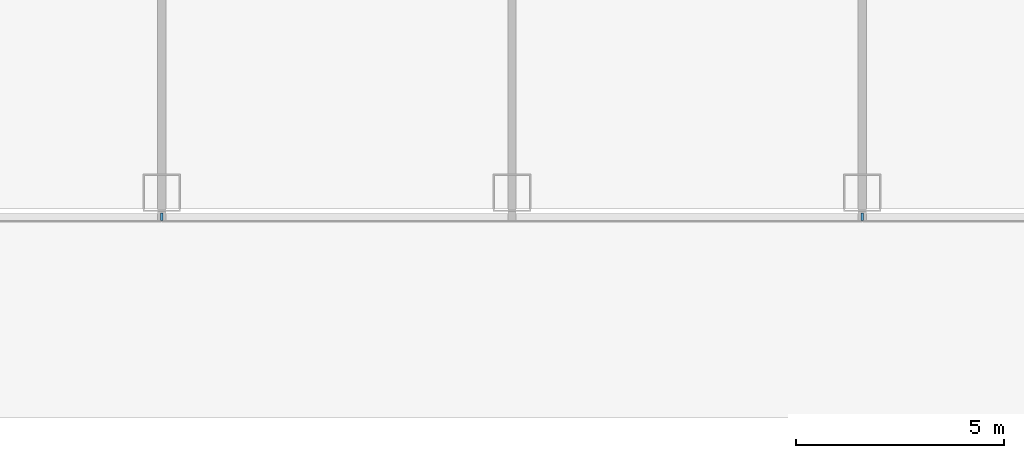
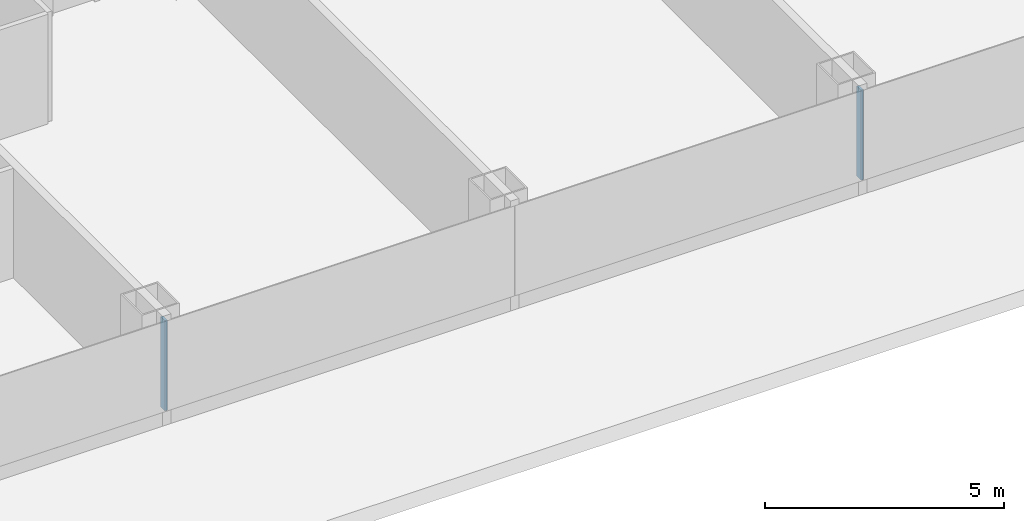
# One storey, part 5 of 42: 2 members, 1 element without a shape of its own.
"""IFC4 building model written with IfcOpenShell, lengths in metres."""

from ifc_helpers import new_model, si_unit, direction, frame, origin, origin_2d, place, context, subcontext, project, spatial, rectangle, extrude, material, layer, layer_set, material_profile, profile_set, type_object, element, aggregate, save


model = new_model("IFC4")

# Units and contexts
model_context = context("Model", 3, precision=1e-05, world=origin(), true_north=direction((0.0, 1.0)))
body_context = subcontext(model_context, "Body", "Model", "MODEL_VIEW")
ifc_project = project(units=[si_unit("LENGTHUNIT", "METRE"), si_unit("AREAUNIT", "SQUARE_METRE"), si_unit("VOLUMEUNIT", "CUBIC_METRE"), si_unit("PLANEANGLEUNIT", "RADIAN"), si_unit("MASSUNIT", "GRAM", prefix="KILO")], contexts=[model_context])

# Site, building, storey
site_placement = place(None, origin())
site = spatial("IfcSite", under=ifc_project, at=site_placement, CompositionType="ELEMENT")
building_placement = place(site_placement, origin())
building = spatial("IfcBuilding", under=site, at=building_placement, Name="Hakoniwa Tower and Hamabe Station Hall", CompositionType="ELEMENT")
storey_placement = place(building_placement, frame((0.0, 0.0, 19.800048828125)))
storey = spatial("IfcBuildingStorey", under=building, at=storey_placement, Name="L04", CompositionType="ELEMENT", Elevation=19.800048828125)

# Curtain wall, members
ifc_material_1 = material(Name="Dark low-e laminated glass", Category="glass")
ifc_layer = layer(ifc_material_1, 0.199951171875)
ifc_layer_set = layer_set([ifc_layer], Name="CW-1 UNITISED GUEST")
curtain_wall_type = type_object("IfcCurtainWallType", Name="CW-1 UNITISED GUEST", PredefinedType="NOTDEFINED", material=ifc_layer_set)
curtain_wall_placement = place(storey_placement, origin())
curtain_wall = element("IfcCurtainWall", 1, at=curtain_wall_placement, inside=storey, type_object=curtain_wall_type, Name="CW-1 curtain wall", PredefinedType="NOTDEFINED")
ifc_material_2 = material(Name="Aluminium 6063-T5 black anodised", Category="aluminium")
ifc_material_profile = material_profile(ifc_material_2, rectangle(XDim=0.06005859375, YDim=0.179931640625, at=origin_2d()), Name="CW-1 MULLION 60X180")
ifc_profile_set = profile_set([ifc_material_profile], Name="Aluminium 6063-T5 black anodised")
member_type = type_object("IfcMemberType", Name="CW-1 MULLION 60X180", PredefinedType="MULLION", material=ifc_profile_set)
member_1_placement = place(storey_placement, frame((-16.800048828125, -20.181884765625, 0.349853515625), z_axis=(0.0, 0.0, 1.0), x_axis=(1.0, 0.0, 0.0)))
member_1 = element("IfcMember", 2, at=member_1_placement, type_object=member_type, Name="CW-1 mullion", PredefinedType="MULLION", context=body_context, shape_type="SweptSolid", body=[
    extrude(rectangle(XDim=0.06005859375, YDim=0.179931640625, at=origin_2d()), origin(), (0.0, 0.0, 1.0), 2.300048828125),
])
member_2_placement = place(storey_placement, frame((0.0, -20.181884765625, 0.349853515625), z_axis=(0.0, 0.0, 1.0), x_axis=(1.0, 0.0, 0.0)))
member_2 = element("IfcMember", 3, at=member_2_placement, type_object=member_type, Name="CW-1 mullion", PredefinedType="MULLION", context=body_context, shape_type="SweptSolid", body=[
    extrude(rectangle(XDim=0.06005859375, YDim=0.179931640625, at=origin_2d()), origin(), (0.0, 0.0, 1.0), 2.300048828125),
])
aggregate(curtain_wall, [member_1, member_2])

save(model, "model.ifc")
